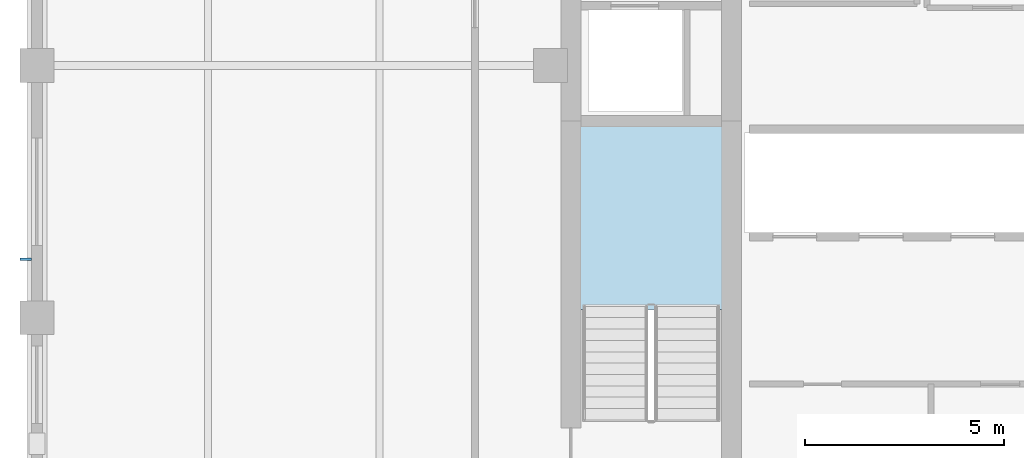
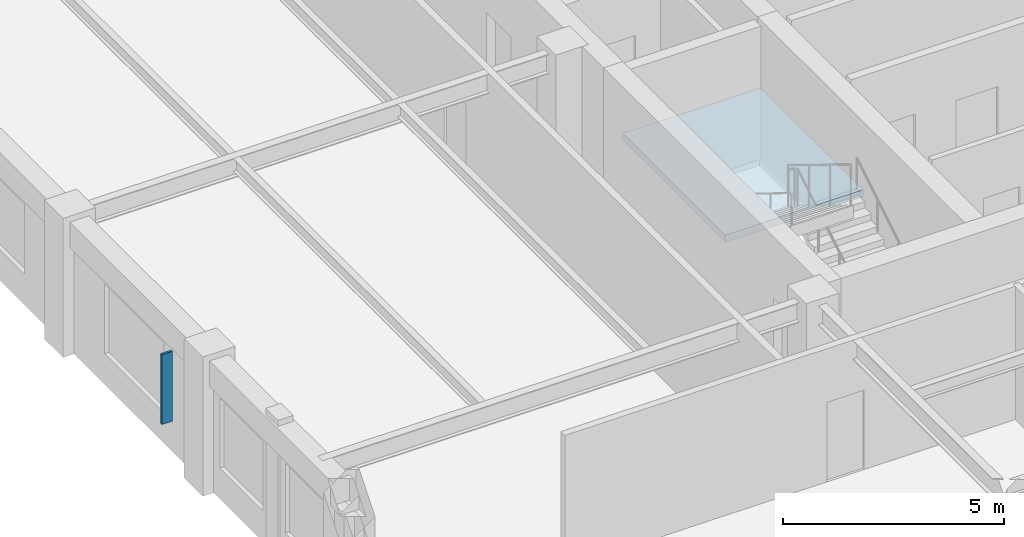
# One storey, part 4 of 10: 1 plate, 1 slab, 1 element without a shape of its own.
"""IFC4 building model written with IfcOpenShell, lengths in metres."""

from ifc_helpers import new_model, si_unit, direction, frame, origin, origin_2d, place, context, subcontext, project, spatial, polyline, rectangle, outline, extrude, material, layer, layer_set, type_object, element, aggregate, save


model = new_model("IFC4")

# Units and contexts
model_context = context("Model", 3, precision=1e-05, world=origin(), true_north=direction((0.0, 1.0)))
body_context = subcontext(model_context, "Body", "Model", "MODEL_VIEW")
ifc_project = project(units=[si_unit("LENGTHUNIT", "METRE"), si_unit("AREAUNIT", "SQUARE_METRE"), si_unit("VOLUMEUNIT", "CUBIC_METRE"), si_unit("PLANEANGLEUNIT", "RADIAN"), si_unit("MASSUNIT", "GRAM", prefix="KILO")], contexts=[model_context])

# Site, building, storey
site_placement = place(None, origin())
site = spatial("IfcSite", under=ifc_project, at=site_placement, CompositionType="ELEMENT")
building_placement = place(site_placement, origin())
building = spatial("IfcBuilding", under=site, at=building_placement, Name="Nhamokura Convention Tower", CompositionType="ELEMENT")
storey_placement = place(building_placement, frame((0.0, 0.0, 236.949951171875)))
storey = spatial("IfcBuildingStorey", under=building, at=storey_placement, Name="L58", CompositionType="ELEMENT", Elevation=236.949951171875)

# Plate
ifc_material_1 = material(Name="Anodised bronze aluminium AA6063-T6", Category="aluminium")
plate_type = type_object("IfcPlateType", Name="BronzeSolarFin_2", PredefinedType="USERDEFINED", material=ifc_material_1)
plate_placement = place(storey_placement, frame((7.469970703125, 27.13330078125, 0.85009765625), z_axis=(0.0, 0.0, 1.0), x_axis=(1.0, 0.0, 0.0)))
element("IfcPlate", 1, at=plate_placement, inside=storey, type_object=plate_type, Name="L58 Bronze Solar Shading Fin WEST 2", ObjectType="SOLAR_FIN", PredefinedType="USERDEFINED", context=body_context, shape_type="SweptSolid", body=[
    extrude(rectangle(XDim=0.280029296875, YDim=0.06005859375, at=origin_2d()), origin(), (0.0, 0.0, 1.0), 1.93505859375),
])

# Stair, slab
ifc_material_2 = material(Name="Concrete C40/50", Category="concrete")
stair_type = type_object("IfcStairType", Name="TowerCoreStair_1650", PredefinedType="HALF_TURN_STAIR", material=ifc_material_2)
stair_placement = place(storey_placement, origin())
stair = element("IfcStair", 2, at=stair_placement, inside=storey, type_object=stair_type, Name="L58 West Core Smokeproof Stair ST-01", PredefinedType="HALF_TURN_STAIR")
ifc_material_3 = material(Name="Concrete C40/50", Category="concrete")
ifc_layer = layer(ifc_material_3, 0.199951171875)
ifc_layer_set = layer_set([ifc_layer], Name="StairLandingSlab_200")
slab_type = type_object("IfcSlabType", Name="StairLandingSlab_200", PredefinedType="LANDING", material=ifc_layer_set)
slab_placement = place(storey_placement, frame((0.0, 0.0, 1.72509765625)))
slab = element("IfcSlab", 3, at=slab_placement, type_object=slab_type, Name="ST-01 landing 1", PredefinedType="LANDING", context=body_context, shape_type="SweptSolid", body=[
    extrude(outline(polyline([(24.97998046875, 25.8701171875), (24.97998046875, 30.530029296875), (21.3701171875, 30.530029296875), (21.3701171875, 25.8701171875), (24.97998046875, 25.8701171875)])), origin(), (0.0, 0.0, 1.0), 0.199951171875),
])
aggregate(stair, [slab])

save(model, "model.ifc")
